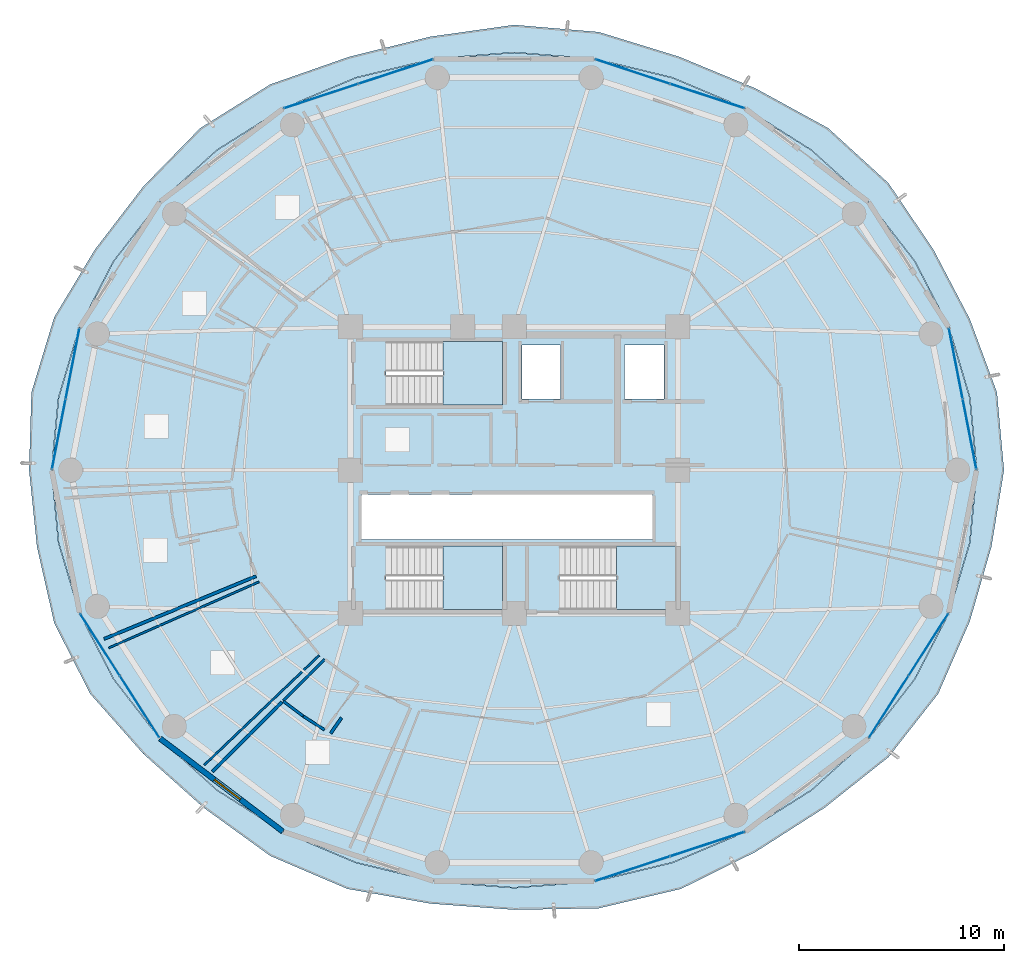
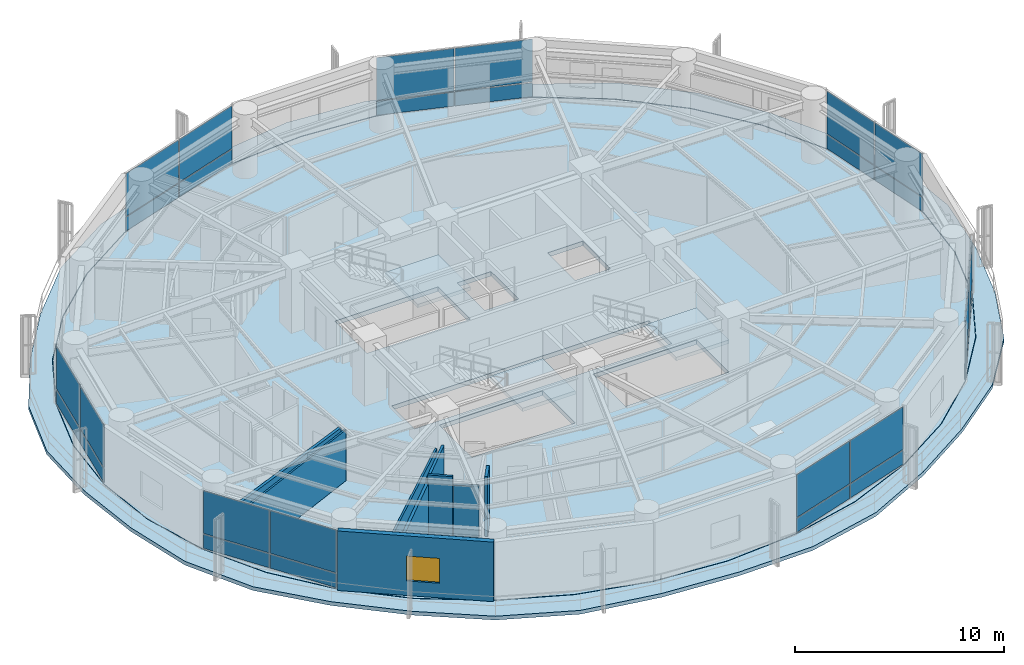
# One storey, part 20 of 27: 28 plates, 9 walls, 5 slabs, 1 window, 1 opening, 10 elements without a shape of their own.
"""IFC4 building model written with IfcOpenShell, lengths in metres."""

import ifcopenshell
import ifcopenshell.guid

model = None  # the IFC model being written
_history = None  # IfcOwnerHistory: only IFC2X3 demands one
_inside = {}  # id of a spatial element -> (the spatial element, [elements in it])
_under = {}  # id of a project, library or spatial element -> (it, [spatial elements below it])
_declared = {}  # id of a project -> (the project, [libraries it declares])
_typed = {}  # id of a type object -> (the type object, [elements of that type])
_made_of = {}  # id of a material, layer set ... -> (it, [elements and type objects made of it])


def new_model(schema):
    """Start an empty IFC model of exactly this schema.

    Asked for "IFC4X3", IfcOpenShell would pick the latest addendum, in which some entities
    have other attributes; the version numbers below select the first issue.
    IFC2X3 requires an IfcOwnerHistory on every rooted entity: one is made here for all.
    """
    global model, _history
    if schema == "IFC4X3":
        model = ifcopenshell.file(schema_version=(4, 3, 0, 0))
    else:
        model = ifcopenshell.file(schema=schema)
    _inside.clear()
    _under.clear()
    _declared.clear()
    _typed.clear()
    _made_of.clear()
    _history = None
    if model.schema == "IFC2X3":
        org = make("IfcOrganization", Name="unknown")
        user = make(
            "IfcPersonAndOrganization",
            ThePerson=make("IfcPerson", FamilyName="unknown"),
            TheOrganization=org,
        )
        app = make(
            "IfcApplication",
            ApplicationDeveloper=org,
            Version="unknown",
            ApplicationFullName="unknown",
            ApplicationIdentifier="unknown",
        )
        _history = make(
            "IfcOwnerHistory",
            OwningUser=user,
            OwningApplication=app,
            ChangeAction="ADDED",
            CreationDate=0,
        )
    return model


def make(cls, **values):
    """One entity of the class cls with the attributes given. An attribute that is None is left unset."""
    return model.create_entity(
        cls, **{name: value for name, value in values.items() if value is not None}
    )


def rooted(cls, **values):
    """An entity with a GlobalId (a new one), such as an element, a storey or a relation."""
    return make(cls, GlobalId=ifcopenshell.guid.new(), OwnerHistory=_history, **values)


def si_unit(unit_type, name, prefix=None):
    """IfcSIUnit, for example si_unit("LENGTHUNIT", "METRE", prefix="MILLI")."""
    return make("IfcSIUnit", UnitType=unit_type, Prefix=prefix, Name=name)


def assignment(units):
    """IfcUnitAssignment: the units of a project."""
    return None if units is None else make("IfcUnitAssignment", Units=units)


def point(xyz):
    """IfcCartesianPoint."""
    return None if xyz is None else make("IfcCartesianPoint", Coordinates=xyz)


def direction(xyz):
    """IfcDirection."""
    return None if xyz is None else make("IfcDirection", DirectionRatios=xyz)


def frame(location, z_axis=None, x_axis=None):
    """IfcAxis2Placement3D, a coordinate frame: its origin and axes. An axis left out is left unset."""
    return make(
        "IfcAxis2Placement3D",
        Location=point(location),
        Axis=direction(z_axis),
        RefDirection=direction(x_axis),
    )


def frame_2d(location, x_axis=None):
    """IfcAxis2Placement2D, a coordinate frame in the plane: its origin and x axis."""
    return make(
        "IfcAxis2Placement2D", Location=point(location), RefDirection=direction(x_axis)
    )


def origin():
    """The frame at (0, 0, 0) with its axes left unset."""
    return frame((0.0, 0.0, 0.0))


def origin_2d():
    """The frame at (0, 0) in the plane with its x axis left unset."""
    return frame_2d((0.0, 0.0))


def place(relative_to, where):
    """IfcLocalPlacement: puts the frame where relative to a parent placement (None: the world)."""
    return make(
        "IfcLocalPlacement", PlacementRelTo=relative_to, RelativePlacement=where
    )


def context(
    kind, dimensions, precision=None, world=None, true_north=None, identifier=None
):
    """IfcGeometricRepresentationContext, for example the 3D "Model" context."""
    return make(
        "IfcGeometricRepresentationContext",
        ContextIdentifier=identifier,
        ContextType=kind,
        CoordinateSpaceDimension=dimensions,
        Precision=precision,
        WorldCoordinateSystem=world,
        TrueNorth=true_north,
    )


def subcontext(parent, identifier, kind, view, scale=None):
    """IfcGeometricRepresentationSubContext, for example "Body" below "Model"."""
    return make(
        "IfcGeometricRepresentationSubContext",
        ContextIdentifier=identifier,
        ContextType=kind,
        ParentContext=parent,
        TargetScale=scale,
        TargetView=view,
    )


def project(units=None, contexts=None):
    """IfcProject with its units and contexts."""
    return rooted(
        "IfcProject",
        Name="project",
        RepresentationContexts=contexts,
        UnitsInContext=assignment(units),
    )


def spatial(cls, under=None, at=None, **own):
    """A site, building, storey or space (cls), placed at a placement, below another one or the project."""
    s = rooted(cls, ObjectPlacement=at, **own)
    if under is not None:
        _under.setdefault(under.id(), (under, []))[1].append(s)
    return s


def polyline(points):
    """IfcPolyline through the points."""
    return make("IfcPolyline", Points=[point(p) for p in points])


def profile(cls, at=None, kind="AREA", **sizes):
    """A parametric profile (cls). Its sizes go by their IFC names, for example OverallWidth=200.0."""
    return make(cls, ProfileType=kind, Position=at, **sizes)


def rectangle(**sizes):
    """IfcRectangleProfileDef."""
    return profile("IfcRectangleProfileDef", **sizes)


def outline(outer, holes=None, kind="AREA"):
    """IfcArbitraryClosedProfileDef: a profile drawn as a closed curve; with holes, ...WithVoids."""
    if holes is None:
        return make("IfcArbitraryClosedProfileDef", ProfileType=kind, OuterCurve=outer)
    return make(
        "IfcArbitraryProfileDefWithVoids",
        ProfileType=kind,
        OuterCurve=outer,
        InnerCurves=holes,
    )


def extrude(swept, where, along, depth):
    """IfcExtrudedAreaSolid: the profile swept, set in the frame where, extruded along a direction by depth."""
    return make(
        "IfcExtrudedAreaSolid",
        SweptArea=swept,
        Position=where,
        ExtrudedDirection=direction(along),
        Depth=depth,
    )


def shape(context_of_items, identifier, shape_type, items):
    """IfcShapeRepresentation: the items that make up one representation, for example the "Body"."""
    return make(
        "IfcShapeRepresentation",
        ContextOfItems=context_of_items,
        RepresentationIdentifier=identifier,
        RepresentationType=shape_type,
        Items=items,
    )


def source(mapping_origin, context_of_items, identifier, shape_type, items):
    """IfcRepresentationMap: a shape defined once, which mapped items show again and again."""
    return make(
        "IfcRepresentationMap",
        MappingOrigin=mapping_origin,
        MappedRepresentation=shape(context_of_items, identifier, shape_type, items),
    )


def transform(
    local_origin,
    x_axis=None,
    y_axis=None,
    z_axis=None,
    scale=None,
    scale2=None,
    scale3=None,
    uniform=True,
):
    """IfcCartesianTransformationOperator3D, or its non-uniform kind. x_axis, y_axis, z_axis: its Axis1, 2, 3."""
    if uniform:
        return make(
            "IfcCartesianTransformationOperator3D",
            Axis1=direction(x_axis),
            Axis2=direction(y_axis),
            LocalOrigin=point(local_origin),
            Scale=scale,
            Axis3=direction(z_axis),
        )
    return make(
        "IfcCartesianTransformationOperator3DnonUniform",
        Axis1=direction(x_axis),
        Axis2=direction(y_axis),
        LocalOrigin=point(local_origin),
        Scale=scale,
        Axis3=direction(z_axis),
        Scale2=scale2,
        Scale3=scale3,
    )


def mapped(mapping_source, mapping_target):
    """IfcMappedItem: shows the shape of a source again, moved by a transform."""
    return make(
        "IfcMappedItem", MappingSource=mapping_source, MappingTarget=mapping_target
    )


def material(Name=None, Category=None):
    """IfcMaterial."""
    return make("IfcMaterial", Name=Name, Category=Category)


def layer(
    of_material, thickness, ventilated=None, Name=None, Category=None, Priority=None
):
    """IfcMaterialLayer: one layer of a wall or slab, of a material (None: an air gap)."""
    return make(
        "IfcMaterialLayer",
        Material=of_material,
        LayerThickness=thickness,
        IsVentilated=ventilated,
        Name=Name,
        Category=Category,
        Priority=Priority,
    )


def layer_set(layers, Name=None):
    """IfcMaterialLayerSet."""
    return make("IfcMaterialLayerSet", MaterialLayers=layers, LayerSetName=Name)


def made_of(thing, what):
    """Note that an element or type object is made of a material, layer set ...; save() writes the relation."""
    if what is not None:
        _made_of.setdefault(what.id(), (what, []))[1].append(thing)
    return thing


def type_object(cls, material=None, **own):
    """A type object (cls), such as IfcWallType, which elements share."""
    return made_of(rooted(cls, **own), material)


def element(
    cls,
    number,
    at=None,
    inside=None,
    cuts=None,
    type_object=None,
    material=None,
    context=None,
    identifier="Body",
    shape_type=None,
    held_by="IfcProductDefinitionShape",
    body=None,
    shapes=None,
    **own,
):
    """One element of the class cls, such as IfcWall. Its Tag is "e" and its number.

    at: its placement. inside: the storey or other place that contains it. cuts: it is an
    opening in that element (IfcRelVoidsElement). A single representation is given by context,
    identifier, shape_type and body (its items); several are given by shapes. held_by: the class
    of the entity that holds the representations. save() writes the other relations.
    """
    e = rooted(cls, Tag="e%d" % number, ObjectPlacement=at, **own)
    if body is not None:
        shapes = [shape(context, identifier, shape_type, body)]
    if shapes is not None:
        e.Representation = make(held_by, Representations=shapes)
    if inside is not None:
        _inside.setdefault(inside.id(), (inside, []))[1].append(e)
    if cuts is not None:
        rooted(
            "IfcRelVoidsElement", RelatingBuildingElement=cuts, RelatedOpeningElement=e
        )
    if type_object is not None:
        _typed.setdefault(type_object.id(), (type_object, []))[1].append(e)
    return made_of(e, material)


def fill(opening, filler):
    """IfcRelFillsElement: the door or window that sits in an opening."""
    return rooted(
        "IfcRelFillsElement",
        RelatingOpeningElement=opening,
        RelatedBuildingElement=filler,
    )


def aggregate(whole, parts):
    """IfcRelAggregates: a whole, such as a stair, and the parts it consists of."""
    return rooted("IfcRelAggregates", RelatingObject=whole, RelatedObjects=parts)


def save(model, path):
    """Write the relations noted so far, then the file.

    IfcRelAggregates (storeys below a building ...), IfcRelContainedInSpatialStructure (elements
    in a storey), IfcRelDefinesByType, IfcRelAssociatesMaterial and IfcRelDeclares: one each for
    every whole, place, type object, material and project.
    """
    for whole, parts in _under.values():
        aggregate(whole, parts)
    for where, things in _inside.values():
        rooted(
            "IfcRelContainedInSpatialStructure",
            RelatedElements=things,
            RelatingStructure=where,
        )
    for kind, things in _typed.values():
        rooted("IfcRelDefinesByType", RelatedObjects=things, RelatingType=kind)
    for what, things in _made_of.values():
        rooted("IfcRelAssociatesMaterial", RelatedObjects=things, RelatingMaterial=what)
    for by, libraries in _declared.values():
        rooted("IfcRelDeclares", RelatingContext=by, RelatedDefinitions=libraries)
    model.write(path)


model = new_model("IFC4")

# Units and contexts
model_context = context("Model", 3, precision=1e-05, world=origin(), true_north=direction((0.0, 1.0)))
body_context = subcontext(model_context, "Body", "Model", "MODEL_VIEW")
ifc_project = project(units=[si_unit("LENGTHUNIT", "METRE"), si_unit("AREAUNIT", "SQUARE_METRE"), si_unit("VOLUMEUNIT", "CUBIC_METRE"), si_unit("PLANEANGLEUNIT", "RADIAN"), si_unit("MASSUNIT", "GRAM", prefix="KILO")], contexts=[model_context])

# Site, building, storey
site_placement = place(None, origin())
site = spatial("IfcSite", under=ifc_project, at=site_placement, CompositionType="ELEMENT")
building_placement = place(site_placement, origin())
building = spatial("IfcBuilding", under=site, at=building_placement, Name="Kelanora Arch Commons", CompositionType="ELEMENT")
storey_placement = place(building_placement, frame((0.0, 0.0, 146.85009765625)))
storey = spatial("IfcBuildingStorey", under=building, at=storey_placement, Name="L37", CompositionType="ELEMENT", Elevation=146.85009765625)

# Stair, slab
ifc_material_1 = material(Name="Concrete C40/50", Category="concrete")
stair_type = type_object("IfcStairType", Name="STR-DL-375", PredefinedType="HALF_TURN_STAIR", material=ifc_material_1)
stair_1_placement = place(storey_placement, origin())
stair_1 = element("IfcStair", 1, at=stair_1_placement, inside=storey, type_object=stair_type, Name="L37 ST-T1", PredefinedType="HALF_TURN_STAIR")
ifc_layer_1 = layer(ifc_material_1, 0.199951171875)
ifc_layer_set_1 = layer_set([ifc_layer_1], Name="Concrete C40/50")
slab_type_1 = type_object("IfcSlabType", Name="SLB-STAIR-LND", PredefinedType="LANDING", material=ifc_layer_set_1)
slab_1_placement = place(storey_placement, frame((0.0, 0.0, 1.6748046875)))
slab_1 = element("IfcSlab", 2, at=slab_1_placement, type_object=slab_type_1, Name="ST-T1 landing 1", PredefinedType="LANDING", context=body_context, shape_type="SweptSolid", body=[
    extrude(outline(polyline([(70.52001953125, 61.179931640625), (73.43994140625, 61.179931640625), (73.43994140625, 64.2900390625), (70.52001953125, 64.2900390625), (70.52001953125, 61.179931640625)])), origin(), (0.0, 0.0, 1.0), 0.2001953125),
])
aggregate(stair_1, [slab_1])

stair_2_placement = place(storey_placement, origin())
stair_2 = element("IfcStair", 3, at=stair_2_placement, inside=storey, type_object=stair_type, Name="L37 ST-T2", PredefinedType="HALF_TURN_STAIR")
slab_2_placement = place(storey_placement, frame((0.0, 0.0, 1.6748046875)))
slab_2 = element("IfcSlab", 4, at=slab_2_placement, type_object=slab_type_1, Name="ST-T2 landing 1", PredefinedType="LANDING", context=body_context, shape_type="SweptSolid", body=[
    extrude(outline(polyline([(79.0, 51.179931640625), (81.919921875, 51.179931640625), (81.919921875, 54.2900390625), (79.0, 54.2900390625), (79.0, 51.179931640625)])), origin(), (0.0, 0.0, 1.0), 0.2001953125),
])
aggregate(stair_2, [slab_2])

stair_3_placement = place(storey_placement, origin())
stair_3 = element("IfcStair", 5, at=stair_3_placement, inside=storey, type_object=stair_type, Name="L37 ST-T3", PredefinedType="HALF_TURN_STAIR")
slab_3_placement = place(storey_placement, frame((0.0, 0.0, 1.6748046875)))
slab_3 = element("IfcSlab", 6, at=slab_3_placement, type_object=slab_type_1, Name="ST-T3 landing 1", PredefinedType="LANDING", context=body_context, shape_type="SweptSolid", body=[
    extrude(outline(polyline([(70.52001953125, 51.179931640625), (73.43994140625, 51.179931640625), (73.43994140625, 54.2900390625), (70.52001953125, 54.2900390625), (70.52001953125, 51.179931640625)])), origin(), (0.0, 0.0, 1.0), 0.2001953125),
])
aggregate(stair_3, [slab_3])

# Slabs
ifc_layer_2 = layer(ifc_material_1, 0.260009765625)
ifc_layer_set_2 = layer_set([ifc_layer_2], Name="Concrete C40/50")
slab_type_2 = type_object("IfcSlabType", Name="SLB-TWR-TYP", PredefinedType="FLOOR", material=ifc_layer_set_2)
slab_4_placement = place(storey_placement, frame((0.0, 0.0, -0.260009765625)))
element("IfcSlab", 7, at=slab_4_placement, inside=storey, type_object=slab_type_2, Name="Tower Floor Slab L37", PredefinedType="FLOOR", context=body_context, shape_type="SweptSolid", body=[
    extrude(outline(polyline([(96.60009765625, 58.0), (96.256591796875, 61.54248046875), (95.237060546875, 64.977294921875), (93.572265625, 68.199951171875), (91.3125, 71.11279296875), (88.527099609375, 73.627197265625), (85.300048828125, 75.6669921875), (81.729736328125, 77.169677734375), (77.92431640625, 78.090087890625), (74.0, 78.39990234375), (70.07568359375, 78.090087890625), (66.270263671875, 77.169677734375), (62.699951171875, 75.6669921875), (59.472900390625, 73.627197265625), (56.6875, 71.11279296875), (54.427734375, 68.199951171875), (52.762939453125, 64.977294921875), (51.743408203125, 61.54248046875), (51.39990234375, 58.0), (51.743408203125, 54.45751953125), (52.762939453125, 51.022705078125), (54.427734375, 47.800048828125), (56.6875, 44.88720703125), (59.472900390625, 42.372802734375), (62.699951171875, 40.3330078125), (66.270263671875, 38.830322265625), (70.07568359375, 37.909912109375), (74.0, 37.60009765625), (77.92431640625, 37.909912109375), (81.729736328125, 38.830322265625), (85.300048828125, 40.3330078125), (88.527099609375, 42.372802734375), (91.3125, 44.88720703125), (93.572265625, 47.800048828125), (95.237060546875, 51.022705078125), (96.256591796875, 54.45751953125), (96.60009765625, 58.0)]), holes=[polyline([(73.431884765625, 51.18798828125), (67.72802734375, 51.18798828125), (67.72802734375, 54.281982421875), (73.431884765625, 54.281982421875), (73.431884765625, 51.18798828125)]), polyline([(76.2080078125, 51.18798828125), (76.2080078125, 54.281982421875), (81.912109375, 54.281982421875), (81.912109375, 51.18798828125), (76.2080078125, 51.18798828125)]), polyline([(66.550048828125, 54.60009765625), (66.550048828125, 56.800048828125), (80.75, 56.800048828125), (80.75, 54.60009765625), (66.550048828125, 54.60009765625)]), polyline([(73.431884765625, 61.18798828125), (67.72802734375, 61.18798828125), (67.72802734375, 64.281982421875), (73.431884765625, 64.281982421875), (73.431884765625, 61.18798828125)]), polyline([(74.3798828125, 61.47998046875), (74.3798828125, 64.1201171875), (76.260009765625, 64.1201171875), (76.260009765625, 61.47998046875), (74.3798828125, 61.47998046875)]), polyline([(79.3798828125, 61.47998046875), (79.3798828125, 64.1201171875), (81.320068359375, 64.1201171875), (81.320068359375, 61.47998046875), (79.3798828125, 61.47998046875)])]), origin(), (0.0, 0.0, 1.0), 0.260009765625),
])
ifc_layer_3 = layer(ifc_material_1, 0.219970703125)
ifc_layer_set_3 = layer_set([ifc_layer_3], Name="Concrete C40/50")
slab_type_3 = type_object("IfcSlabType", Name="SLB-WAVE-BAL", PredefinedType="FLOOR", material=ifc_layer_set_3)
slab_5_placement = place(storey_placement, frame((0.0, 0.0, -0.22021484375)))
element("IfcSlab", 8, at=slab_5_placement, inside=storey, type_object=slab_type_3, Name="Sinusoidal Wave Balcony Slab L37", PredefinedType="FLOOR", context=body_context, shape_type="SweptSolid", body=[
    extrude(outline(polyline([(97.938232421875, 58.0), (97.591796875, 61.80322265625), (96.263427734375, 65.39111328125), (94.48583984375, 68.784423828125), (92.292724609375, 72.02392578125), (89.348388671875, 74.711669921875), (85.8115234375, 76.6484375), (82.068115234375, 78.2001953125), (78.134765625, 79.41162109375), (74.0, 79.760498046875), (69.901611328125, 79.18310546875), (65.931884765625, 78.2001953125), (62.08154296875, 76.853515625), (58.651611328125, 74.711669921875), (55.876708984375, 71.866455078125), (53.51416015625, 68.784423828125), (51.52197265625, 65.4775390625), (50.408203125, 61.80322265625), (50.293212890625, 58.0), (50.678955078125, 54.24951171875), (51.52197265625, 50.5224609375), (53.28173828125, 47.06689453125), (55.876708984375, 44.133544921875), (58.818115234375, 41.508056640625), (62.08154296875, 39.146484375), (65.845703125, 37.537841796875), (69.901611328125, 36.81689453125), (74.0, 36.515380859375), (78.134765625, 36.58837890625), (82.154296875, 37.537841796875), (85.8115234375, 39.3515625), (89.181884765625, 41.508056640625), (92.292724609375, 43.97607421875), (94.71826171875, 47.06689453125), (96.263427734375, 50.60888671875), (97.321044921875, 54.24951171875), (97.938232421875, 58.0)]), holes=[polyline([(96.2763671875, 54.4541015625), (95.255859375, 51.015869140625), (93.589599609375, 47.7900390625), (91.327880859375, 44.874267578125), (88.539794921875, 42.357421875), (85.31005859375, 40.31591796875), (81.736572265625, 38.8115234375), (77.927978515625, 37.89013671875), (74.0, 37.580078125), (70.072021484375, 37.89013671875), (66.263427734375, 38.8115234375), (62.68994140625, 40.31591796875), (59.460205078125, 42.357421875), (56.672119140625, 44.874267578125), (54.410400390625, 47.7900390625), (52.744140625, 51.015869140625), (51.7236328125, 54.4541015625), (51.3798828125, 58.0), (51.7236328125, 61.5458984375), (52.744140625, 64.984130859375), (54.410400390625, 68.2099609375), (56.672119140625, 71.125732421875), (59.460205078125, 73.642578125), (62.68994140625, 75.68408203125), (66.263427734375, 77.1884765625), (70.072021484375, 78.10986328125), (74.0, 78.419921875), (77.927978515625, 78.10986328125), (81.736572265625, 77.1884765625), (85.31005859375, 75.68408203125), (88.539794921875, 73.642578125), (91.327880859375, 71.125732421875), (93.589599609375, 68.2099609375), (95.255859375, 64.984130859375), (96.2763671875, 61.5458984375), (96.6201171875, 58.0), (96.2763671875, 54.4541015625)])]), origin(), (0.0, 0.0, 1.0), 0.22021484375),
])

# Curtain wall, plates
ifc_material_2 = material(Name="Terracotta ceramic-fritted low-E glass and aluminium", Category="masonry")
ifc_layer_4 = layer(ifc_material_2, 0.175048828125)
ifc_layer_set_4 = layer_set([ifc_layer_4], Name="Terracotta ceramic-fritted low-E glass and aluminium")
curtain_wall_type = type_object("IfcCurtainWallType", Name="CW-SYS-02", PredefinedType="NOTDEFINED", material=ifc_layer_set_4)
curtain_wall_1_placement = place(storey_placement, origin())
curtain_wall_1 = element("IfcCurtainWall", 9, at=curtain_wall_1_placement, inside=storey, type_object=curtain_wall_type, Name="Unitised Curtain Wall L37-B00", PredefinedType="NOTDEFINED")
ifc_material_3 = material(Name="Terracotta ceramic-fritted double glazing", Category="masonry")
ifc_layer_5 = layer(ifc_material_3, 0.028076171875)
ifc_layer_set_5 = layer_set([ifc_layer_5], Name="Terracotta ceramic-fritted double glazing")
plate_type = type_object("IfcPlateType", Name="CWP-FRIT", PredefinedType="CURTAIN_PANEL", material=ifc_layer_set_5)
shared_shape_1 = source(origin(), body_context, "Body", "SweptSolid", [
    extrude(rectangle(XDim=3.449462890625, YDim=0.028076171875, at=origin_2d()), origin(), (0.0, 0.0, 1.0), 0.81005859375),
])
plate_1_placement = place(storey_placement, frame((96.2548828125, 59.766357421875, 0.059814453125), z_axis=(0.0, 0.0, 1.0), x_axis=(-0.191705182375, 0.981452557718, 0.0)))
plate_1 = element("IfcPlate", 10, at=plate_1_placement, type_object=plate_type, Name="CW-02 panel 1.1", PredefinedType="CURTAIN_PANEL", context=body_context, shape_type="MappedRepresentation", body=[
    mapped(shared_shape_1, transform((0.0, 0.0, 0.0), scale=1.0)),
])
plate_2_placement = place(storey_placement, frame((95.58203125, 63.2109375, 0.059814453125), z_axis=(0.0, 0.0, 1.0), x_axis=(-0.191705182375, 0.981452557718, 0.0)))
plate_2 = element("IfcPlate", 11, at=plate_2_placement, type_object=plate_type, Name="CW-02 panel 2.1", PredefinedType="CURTAIN_PANEL", context=body_context, shape_type="MappedRepresentation", body=[
    mapped(shared_shape_1, transform((0.0, 0.0, 0.0), scale=1.0)),
])

curtain_wall_2_placement = place(storey_placement, origin())
curtain_wall_2 = element("IfcCurtainWall", 12, at=curtain_wall_2_placement, inside=storey, type_object=curtain_wall_type, Name="Unitised Curtain Wall L37-B08", PredefinedType="NOTDEFINED")
plate_3_placement = place(storey_placement, frame((52.41796875, 63.2109375, 0.059814453125), z_axis=(0.0, 0.0, 1.0), x_axis=(-0.191705182375, -0.981452557718, 0.0)))
plate_3 = element("IfcPlate", 13, at=plate_3_placement, type_object=plate_type, Name="CW-02 panel 1.1", PredefinedType="CURTAIN_PANEL", context=body_context, shape_type="MappedRepresentation", body=[
    mapped(shared_shape_1, transform((0.0, 0.0, 0.0), scale=1.0)),
])
plate_4_placement = place(storey_placement, frame((51.7451171875, 59.766357421875, 0.059814453125), z_axis=(0.0, 0.0, 1.0), x_axis=(-0.191705182375, -0.981452557718, 0.0)))
plate_4 = element("IfcPlate", 14, at=plate_4_placement, type_object=plate_type, Name="CW-02 panel 2.1", PredefinedType="CURTAIN_PANEL", context=body_context, shape_type="MappedRepresentation", body=[
    mapped(shared_shape_1, transform((0.0, 0.0, 0.0), scale=1.0)),
])

# Plate
shared_shape_2 = source(origin(), body_context, "Body", "SweptSolid", [
    extrude(rectangle(XDim=3.449462890625, YDim=0.028076171875, at=origin_2d()), origin(), (0.0, 0.0, 1.0), 2.485107421875),
])
plate_5_placement = place(storey_placement, frame((96.2548828125, 59.766357421875, 0.9296875), z_axis=(0.0, 0.0, 1.0), x_axis=(-0.191705182375, 0.981452557718, 0.0)))
plate_5 = element("IfcPlate", 15, at=plate_5_placement, type_object=plate_type, Name="CW-02 panel 1.2", PredefinedType="CURTAIN_PANEL", context=body_context, shape_type="MappedRepresentation", body=[
    mapped(shared_shape_2, transform((0.0, 0.0, 0.0), scale=1.0)),
])

plate_6_placement = place(storey_placement, frame((95.58203125, 63.2109375, 0.9296875), z_axis=(0.0, 0.0, 1.0), x_axis=(-0.191705182375, 0.981452557718, 0.0)))
plate_6 = element("IfcPlate", 16, at=plate_6_placement, type_object=plate_type, Name="CW-02 panel 2.2", PredefinedType="CURTAIN_PANEL", context=body_context, shape_type="MappedRepresentation", body=[
    mapped(shared_shape_2, transform((0.0, 0.0, 0.0), scale=1.0)),
])

aggregate(curtain_wall_1, [plate_1, plate_5, plate_2, plate_6])

plate_7_placement = place(storey_placement, frame((52.41796875, 63.2109375, 0.9296875), z_axis=(0.0, 0.0, 1.0), x_axis=(-0.191705182375, -0.981452557718, 0.0)))
plate_7 = element("IfcPlate", 17, at=plate_7_placement, type_object=plate_type, Name="CW-02 panel 1.2", PredefinedType="CURTAIN_PANEL", context=body_context, shape_type="MappedRepresentation", body=[
    mapped(shared_shape_2, transform((0.0, 0.0, 0.0), scale=1.0)),
])

plate_8_placement = place(storey_placement, frame((51.7451171875, 59.766357421875, 0.9296875), z_axis=(0.0, 0.0, 1.0), x_axis=(-0.191705182375, -0.981452557718, 0.0)))
plate_8 = element("IfcPlate", 18, at=plate_8_placement, type_object=plate_type, Name="CW-02 panel 2.2", PredefinedType="CURTAIN_PANEL", context=body_context, shape_type="MappedRepresentation", body=[
    mapped(shared_shape_2, transform((0.0, 0.0, 0.0), scale=1.0)),
])

aggregate(curtain_wall_2, [plate_3, plate_7, plate_4, plate_8])

# Curtain wall, plates
curtain_wall_3_placement = place(storey_placement, origin())
curtain_wall_3 = element("IfcCurtainWall", 19, at=curtain_wall_3_placement, inside=storey, type_object=curtain_wall_type, Name="Unitised Curtain Wall L37-B03", PredefinedType="NOTDEFINED")
shared_shape_3 = source(origin(), body_context, "Body", "SweptSolid", [
    extrude(rectangle(XDim=3.776611328125, YDim=0.028076171875, at=origin_2d()), origin(), (0.0, 0.0, 1.0), 0.81005859375),
])
plate_9_placement = place(storey_placement, frame((83.434814453125, 76.27978515625, 0.059814453125), z_axis=(0.0, 0.0, 1.0), x_axis=(-0.95003996605, 0.312128279571, 0.0)))
plate_9 = element("IfcPlate", 20, at=plate_9_placement, type_object=plate_type, Name="CW-02 panel 1.1", PredefinedType="CURTAIN_PANEL", context=body_context, shape_type="MappedRepresentation", body=[
    mapped(shared_shape_3, transform((0.0, 0.0, 0.0), scale=1.0)),
])
plate_10_placement = place(storey_placement, frame((79.789794921875, 77.477294921875, 0.059814453125), z_axis=(0.0, 0.0, 1.0), x_axis=(-0.95003996605, 0.312128279571, 0.0)))
plate_10 = element("IfcPlate", 21, at=plate_10_placement, type_object=plate_type, Name="CW-02 panel 2.1", PredefinedType="CURTAIN_PANEL", context=body_context, shape_type="MappedRepresentation", body=[
    mapped(shared_shape_3, transform((0.0, 0.0, 0.0), scale=1.0)),
])

curtain_wall_4_placement = place(storey_placement, origin())
curtain_wall_4 = element("IfcCurtainWall", 22, at=curtain_wall_4_placement, inside=storey, type_object=curtain_wall_type, Name="Unitised Curtain Wall L37-B05", PredefinedType="NOTDEFINED")
plate_11_placement = place(storey_placement, frame((68.210205078125, 77.477294921875, 0.059814453125), z_axis=(0.0, 0.0, 1.0), x_axis=(-0.95003996605, -0.312128279571, 0.0)))
plate_11 = element("IfcPlate", 23, at=plate_11_placement, type_object=plate_type, Name="CW-02 panel 1.1", PredefinedType="CURTAIN_PANEL", context=body_context, shape_type="MappedRepresentation", body=[
    mapped(shared_shape_3, transform((0.0, 0.0, 0.0), scale=1.0)),
])
plate_12_placement = place(storey_placement, frame((64.565185546875, 76.27978515625, 0.059814453125), z_axis=(0.0, 0.0, 1.0), x_axis=(-0.95003996605, -0.312128279571, 0.0)))
plate_12 = element("IfcPlate", 24, at=plate_12_placement, type_object=plate_type, Name="CW-02 panel 2.1", PredefinedType="CURTAIN_PANEL", context=body_context, shape_type="MappedRepresentation", body=[
    mapped(shared_shape_3, transform((0.0, 0.0, 0.0), scale=1.0)),
])

curtain_wall_5_placement = place(storey_placement, origin())
curtain_wall_5 = element("IfcCurtainWall", 25, at=curtain_wall_5_placement, inside=storey, type_object=curtain_wall_type, Name="Unitised Curtain Wall L37-B14", PredefinedType="NOTDEFINED")
plate_13_placement = place(storey_placement, frame((79.789794921875, 38.522705078125, 0.059814453125), z_axis=(0.0, 0.0, 1.0), x_axis=(0.95003996605, 0.312128279571, 0.0)))
plate_13 = element("IfcPlate", 26, at=plate_13_placement, type_object=plate_type, Name="CW-02 panel 1.1", PredefinedType="CURTAIN_PANEL", context=body_context, shape_type="MappedRepresentation", body=[
    mapped(shared_shape_3, transform((0.0, 0.0, 0.0), scale=1.0)),
])
plate_14_placement = place(storey_placement, frame((83.434814453125, 39.72021484375, 0.059814453125), z_axis=(0.0, 0.0, 1.0), x_axis=(0.95003996605, 0.312128279571, 0.0)))
plate_14 = element("IfcPlate", 27, at=plate_14_placement, type_object=plate_type, Name="CW-02 panel 2.1", PredefinedType="CURTAIN_PANEL", context=body_context, shape_type="MappedRepresentation", body=[
    mapped(shared_shape_3, transform((0.0, 0.0, 0.0), scale=1.0)),
])

# Plate
shared_shape_4 = source(origin(), body_context, "Body", "SweptSolid", [
    extrude(rectangle(XDim=3.776611328125, YDim=0.028076171875, at=origin_2d()), origin(), (0.0, 0.0, 1.0), 2.485107421875),
])
plate_15_placement = place(storey_placement, frame((83.434814453125, 76.27978515625, 0.9296875), z_axis=(0.0, 0.0, 1.0), x_axis=(-0.95003996605, 0.312128279571, 0.0)))
plate_15 = element("IfcPlate", 28, at=plate_15_placement, type_object=plate_type, Name="CW-02 panel 1.2", PredefinedType="CURTAIN_PANEL", context=body_context, shape_type="MappedRepresentation", body=[
    mapped(shared_shape_4, transform((0.0, 0.0, 0.0), scale=1.0)),
])

plate_16_placement = place(storey_placement, frame((79.789794921875, 77.477294921875, 0.9296875), z_axis=(0.0, 0.0, 1.0), x_axis=(-0.95003996605, 0.312128279571, 0.0)))
plate_16 = element("IfcPlate", 29, at=plate_16_placement, type_object=plate_type, Name="CW-02 panel 2.2", PredefinedType="CURTAIN_PANEL", context=body_context, shape_type="MappedRepresentation", body=[
    mapped(shared_shape_4, transform((0.0, 0.0, 0.0), scale=1.0)),
])

aggregate(curtain_wall_3, [plate_9, plate_15, plate_10, plate_16])

plate_17_placement = place(storey_placement, frame((68.210205078125, 77.477294921875, 0.9296875), z_axis=(0.0, 0.0, 1.0), x_axis=(-0.95003996605, -0.312128279571, 0.0)))
plate_17 = element("IfcPlate", 30, at=plate_17_placement, type_object=plate_type, Name="CW-02 panel 1.2", PredefinedType="CURTAIN_PANEL", context=body_context, shape_type="MappedRepresentation", body=[
    mapped(shared_shape_4, transform((0.0, 0.0, 0.0), scale=1.0)),
])

plate_18_placement = place(storey_placement, frame((64.565185546875, 76.27978515625, 0.9296875), z_axis=(0.0, 0.0, 1.0), x_axis=(-0.95003996605, -0.312128279571, 0.0)))
plate_18 = element("IfcPlate", 31, at=plate_18_placement, type_object=plate_type, Name="CW-02 panel 2.2", PredefinedType="CURTAIN_PANEL", context=body_context, shape_type="MappedRepresentation", body=[
    mapped(shared_shape_4, transform((0.0, 0.0, 0.0), scale=1.0)),
])

aggregate(curtain_wall_4, [plate_11, plate_17, plate_12, plate_18])

plate_19_placement = place(storey_placement, frame((79.789794921875, 38.522705078125, 0.9296875), z_axis=(0.0, 0.0, 1.0), x_axis=(0.95003996605, 0.312128279571, 0.0)))
plate_19 = element("IfcPlate", 32, at=plate_19_placement, type_object=plate_type, Name="CW-02 panel 1.2", PredefinedType="CURTAIN_PANEL", context=body_context, shape_type="MappedRepresentation", body=[
    mapped(shared_shape_4, transform((0.0, 0.0, 0.0), scale=1.0)),
])

plate_20_placement = place(storey_placement, frame((83.434814453125, 39.72021484375, 0.9296875), z_axis=(0.0, 0.0, 1.0), x_axis=(0.95003996605, 0.312128279571, 0.0)))
plate_20 = element("IfcPlate", 33, at=plate_20_placement, type_object=plate_type, Name="CW-02 panel 2.2", PredefinedType="CURTAIN_PANEL", context=body_context, shape_type="MappedRepresentation", body=[
    mapped(shared_shape_4, transform((0.0, 0.0, 0.0), scale=1.0)),
])

aggregate(curtain_wall_5, [plate_13, plate_19, plate_14, plate_20])

# Curtain wall, plates
curtain_wall_6_placement = place(storey_placement, origin())
curtain_wall_6 = element("IfcCurtainWall", 34, at=curtain_wall_6_placement, inside=storey, type_object=curtain_wall_type, Name="Unitised Curtain Wall L37-B10", PredefinedType="NOTDEFINED")
shared_shape_5 = source(origin(), body_context, "Body", "SweptSolid", [
    extrude(rectangle(XDim=3.53662109375, YDim=0.028076171875, at=origin_2d()), origin(), (0.0, 0.0, 1.0), 0.81005859375),
])
plate_21_placement = place(storey_placement, frame((53.756103515625, 49.469970703125, 0.059814453125), z_axis=(0.0, 0.0, 1.0), x_axis=(0.538816988983, -0.842422846546, 0.0)))
plate_21 = element("IfcPlate", 35, at=plate_21_placement, type_object=plate_type, Name="CW-02 panel 1.1", PredefinedType="CURTAIN_PANEL", context=body_context, shape_type="MappedRepresentation", body=[
    mapped(shared_shape_5, transform((0.0, 0.0, 0.0), scale=1.0)),
])
plate_22_placement = place(storey_placement, frame((55.694091796875, 46.43994140625, 0.059814453125), z_axis=(0.0, 0.0, 1.0), x_axis=(0.538816988983, -0.842422846546, 0.0)))
plate_22 = element("IfcPlate", 36, at=plate_22_placement, type_object=plate_type, Name="CW-02 panel 2.1", PredefinedType="CURTAIN_PANEL", context=body_context, shape_type="MappedRepresentation", body=[
    mapped(shared_shape_5, transform((0.0, 0.0, 0.0), scale=1.0)),
])

curtain_wall_7_placement = place(storey_placement, origin())
curtain_wall_7 = element("IfcCurtainWall", 37, at=curtain_wall_7_placement, inside=storey, type_object=curtain_wall_type, Name="Unitised Curtain Wall L37-B16", PredefinedType="NOTDEFINED")
plate_23_placement = place(storey_placement, frame((92.305908203125, 46.43994140625, 0.059814453125), z_axis=(0.0, 0.0, 1.0), x_axis=(0.538816988983, 0.842422846546, 0.0)))
plate_23 = element("IfcPlate", 38, at=plate_23_placement, type_object=plate_type, Name="CW-02 panel 1.1", PredefinedType="CURTAIN_PANEL", context=body_context, shape_type="MappedRepresentation", body=[
    mapped(shared_shape_5, transform((0.0, 0.0, 0.0), scale=1.0)),
])
plate_24_placement = place(storey_placement, frame((94.243896484375, 49.469970703125, 0.059814453125), z_axis=(0.0, 0.0, 1.0), x_axis=(0.538816988983, 0.842422846546, 0.0)))
plate_24 = element("IfcPlate", 39, at=plate_24_placement, type_object=plate_type, Name="CW-02 panel 2.1", PredefinedType="CURTAIN_PANEL", context=body_context, shape_type="MappedRepresentation", body=[
    mapped(shared_shape_5, transform((0.0, 0.0, 0.0), scale=1.0)),
])

# Plate
shared_shape_6 = source(origin(), body_context, "Body", "SweptSolid", [
    extrude(rectangle(XDim=3.53662109375, YDim=0.028076171875, at=origin_2d()), origin(), (0.0, 0.0, 1.0), 2.485107421875),
])
plate_25_placement = place(storey_placement, frame((53.756103515625, 49.469970703125, 0.9296875), z_axis=(0.0, 0.0, 1.0), x_axis=(0.538816988983, -0.842422846546, 0.0)))
plate_25 = element("IfcPlate", 40, at=plate_25_placement, type_object=plate_type, Name="CW-02 panel 1.2", PredefinedType="CURTAIN_PANEL", context=body_context, shape_type="MappedRepresentation", body=[
    mapped(shared_shape_6, transform((0.0, 0.0, 0.0), scale=1.0)),
])

plate_26_placement = place(storey_placement, frame((55.694091796875, 46.43994140625, 0.9296875), z_axis=(0.0, 0.0, 1.0), x_axis=(0.538816988983, -0.842422846546, 0.0)))
plate_26 = element("IfcPlate", 41, at=plate_26_placement, type_object=plate_type, Name="CW-02 panel 2.2", PredefinedType="CURTAIN_PANEL", context=body_context, shape_type="MappedRepresentation", body=[
    mapped(shared_shape_6, transform((0.0, 0.0, 0.0), scale=1.0)),
])

aggregate(curtain_wall_6, [plate_21, plate_25, plate_22, plate_26])

plate_27_placement = place(storey_placement, frame((92.305908203125, 46.43994140625, 0.9296875), z_axis=(0.0, 0.0, 1.0), x_axis=(0.538816988983, 0.842422846546, 0.0)))
plate_27 = element("IfcPlate", 42, at=plate_27_placement, type_object=plate_type, Name="CW-02 panel 1.2", PredefinedType="CURTAIN_PANEL", context=body_context, shape_type="MappedRepresentation", body=[
    mapped(shared_shape_6, transform((0.0, 0.0, 0.0), scale=1.0)),
])

plate_28_placement = place(storey_placement, frame((94.243896484375, 49.469970703125, 0.9296875), z_axis=(0.0, 0.0, 1.0), x_axis=(0.538816988983, 0.842422846546, 0.0)))
plate_28 = element("IfcPlate", 43, at=plate_28_placement, type_object=plate_type, Name="CW-02 panel 2.2", PredefinedType="CURTAIN_PANEL", context=body_context, shape_type="MappedRepresentation", body=[
    mapped(shared_shape_6, transform((0.0, 0.0, 0.0), scale=1.0)),
])

aggregate(curtain_wall_7, [plate_23, plate_27, plate_24, plate_28])

# Walls
ifc_material_4 = material(Name="Autoclaved aerated concrete blockwork with fire plaster", Category="masonry")
ifc_layer_6 = layer(ifc_material_4, 0.14990234375)
ifc_layer_set_6 = layer_set([ifc_layer_6], Name="Autoclaved aerated concrete blockwork with fire plaster")
wall_type_1 = type_object("IfcWallType", Name="W-COMP-150", PredefinedType="PARTITIONING", material=ifc_layer_set_6)
wall_1_placement = place(storey_placement, frame((61.385009765625, 52.816650390625, 0.0), z_axis=(0.0, 0.0, 1.0), x_axis=(-0.924352507704, -0.381539567412, 0.0)))
element("IfcWall", 44, at=wall_1_placement, inside=storey, type_object=wall_type_1, Name="Co-Living Studio L37-04 Enclosure Partition 2", PredefinedType="PARTITIONING", context=body_context, shape_type="SweptSolid", body=[
    extrude(rectangle(XDim=8.036865234375, YDim=0.14990234375, at=frame_2d((4.0185546875, 0.0))), origin(), (0.0, 0.0, 1.0), 2.974853515625),
])
wall_2_placement = place(storey_placement, frame((59.249267578125, 43.25830078125, 0.0), z_axis=(0.0, 0.0, 1.0), x_axis=(0.706293548202, 0.707919079958, 0.0)))
element("IfcWall", 45, at=wall_2_placement, inside=storey, type_object=wall_type_1, Name="Co-Living Studio L37-06 Enclosure Partition 5", PredefinedType="PARTITIONING", context=body_context, shape_type="SweptSolid", body=[
    extrude(rectangle(XDim=4.80615234375, YDim=0.14990234375, at=frame_2d((2.403076171875, 0.0))), origin(), (0.0, 0.0, 1.0), 3.02490234375),
])
wall_3_placement = place(storey_placement, frame((65.03076171875, 45.135986328125, 0.0), z_axis=(0.0, 0.0, 1.0), x_axis=(0.570563407037, 0.821253553143, 0.0)))
element("IfcWall", 46, at=wall_3_placement, inside=storey, type_object=wall_type_1, Name="Co-Living Studio L37-06 Enclosure Partition 7", PredefinedType="PARTITIONING", context=body_context, shape_type="SweptSolid", body=[
    extrude(rectangle(XDim=0.92822265625, YDim=0.14990234375, at=frame_2d((0.464111328125, 0.0))), origin(), (0.0, 0.0, 1.0), 3.47998046875),
])

# Wall, opening, window
ifc_material_5 = material(Name="Precast concrete C40/50 with terracotta rainscreen", Category="masonry")
ifc_layer_7 = layer(ifc_material_5, 0.260009765625)
ifc_layer_set_7 = layer_set([ifc_layer_7], Name="Precast concrete C40/50 with terracotta rainscreen")
wall_type_2 = type_object("IfcWallType", Name="W-EXT-TC", PredefinedType="SOLIDWALL", material=ifc_layer_set_7)
wall_4_placement = place(storey_placement, frame((56.699462890625, 44.8779296875, 0.0), z_axis=(0.0, 0.0, 1.0), x_axis=(0.797163719609, -0.603763202042, 0.0)))
wall_4 = element("IfcWall", 47, at=wall_4_placement, inside=storey, type_object=wall_type_2, Name="Terracotta Exterior Wall L37-B11", PredefinedType="SOLIDWALL", context=body_context, shape_type="SweptSolid", body=[
    extrude(rectangle(XDim=7.51220703125, YDim=0.260009765625, at=frame_2d((3.756103515625, 0.0))), origin(), (0.0, 0.0, 1.0), 3.474853515625),
])
opening_placement = place(wall_4_placement, frame((3.31591796875, 0.0, 0.85009765625)))
opening = element("IfcOpeningElement", 48, at=opening_placement, cuts=wall_4, Name="Opening WN-01", PredefinedType="OPENING", context=body_context, shape_type="SweptSolid", body=[
    extrude(rectangle(XDim=1.60009765625, YDim=1.449951171875, at=frame_2d((0.800048828125, 0.72509765625))), frame((0.0, 0.14013671875, 0.0), z_axis=(0.0, -1.0, 0.0), x_axis=(1.0, 0.0, 0.0)), (0.0, 0.0, 1.0), 0.280029296875),
])
ifc_material_6 = material(Name="Terracotta-anodised aluminium frame with operable low-E glazing", Category="masonry")
window_type = type_object("IfcWindowType", Name="WIN-CL-18", PartitioningType="DOUBLE_PANEL_VERTICAL", PredefinedType="WINDOW", material=ifc_material_6)
window_placement = place(opening_placement, origin())
window = element("IfcWindow", 49, at=window_placement, inside=storey, type_object=window_type, Name="Co-Living Operable Window L37-B11", OverallHeight=1.449951171875, OverallWidth=1.60009765625, PartitioningType="SINGLE_PANEL", PredefinedType="WINDOW", context=body_context, shape_type="SweptSolid", body=[
    extrude(rectangle(XDim=1.60009765625, YDim=1.449951171875, at=frame_2d((0.800048828125, 0.72509765625))), frame((0.0, 0.030029296875, 0.0), z_axis=(0.0, -1.0, 0.0), x_axis=(1.0, 0.0, 0.0)), (0.0, 0.0, 1.0), 0.06005859375),
])
fill(opening, window)

# Walls
ifc_material_7 = material(Name="Lightweight fire-rated acoustic stud partition")
ifc_layer_8 = layer(ifc_material_7, 0.10009765625)
ifc_layer_set_8 = layer_set([ifc_layer_8], Name="Lightweight fire-rated acoustic stud partition")
wall_type_3 = type_object("IfcWallType", Name="W-PART-100", PredefinedType="PARTITIONING", material=ifc_layer_set_8)
wall_5_placement = place(storey_placement, frame((64.466064453125, 48.943359375, 0.0), z_axis=(0.0, 0.0, 1.0), x_axis=(-0.723511266615, -0.690312572014, 0.0)))
element("IfcWall", 50, at=wall_5_placement, inside=storey, type_object=wall_type_3, Name="Social Sky Lounge L37-05 Enclosure Partition 2", PredefinedType="PARTITIONING", context=body_context, shape_type="SweptSolid", body=[
    extrude(rectangle(XDim=7.75830078125, YDim=0.10009765625, at=frame_2d((3.879150390625, 0.0))), origin(), (0.0, 0.0, 1.0), 3.02490234375),
])
wall_6_placement = place(storey_placement, frame((54.185546875, 49.31201171875, 0.0), z_axis=(0.0, 0.0, 1.0), x_axis=(0.915373356269, 0.402606034024, 0.0)))
element("IfcWall", 51, at=wall_6_placement, inside=storey, type_object=wall_type_3, Name="Social Sky Lounge L37-05 Enclosure Partition 4", PredefinedType="PARTITIONING", context=body_context, shape_type="SweptSolid", body=[
    extrude(rectangle(XDim=8.022705078125, YDim=0.10009765625, at=frame_2d((4.01123046875, 0.0))), origin(), (0.0, 0.0, 1.0), 2.974853515625),
])
ifc_material_8 = material(Name="Moisture-resistant fire-rated cement-board plumbing wall")
ifc_layer_9 = layer(ifc_material_8, 0.1298828125)
ifc_layer_set_9 = layer_set([ifc_layer_9], Name="Moisture-resistant fire-rated cement-board plumbing wall")
wall_type_4 = type_object("IfcWallType", Name="W-WET-120", PredefinedType="PLUMBINGWALL", material=ifc_layer_set_9)
wall_7_placement = place(storey_placement, frame((64.727294921875, 45.311767578125, 0.0), z_axis=(0.0, 0.0, 1.0), x_axis=(-0.842330007588, 0.538962112135, 0.0)))
element("IfcWall", 52, at=wall_7_placement, inside=storey, type_object=wall_type_4, Name="En-Suite Shower WC L37-06 Enclosure Partition 4", PredefinedType="PLUMBINGWALL", context=body_context, shape_type="SweptSolid", body=[
    extrude(rectangle(XDim=1.21044921875, YDim=0.1298828125, at=frame_2d((0.605224609375, 0.0))), origin(), (0.0, 0.0, 1.0), 2.974853515625),
])
wall_8_placement = place(storey_placement, frame((63.675048828125, 45.987060546875, 0.0), z_axis=(0.0, 0.0, 1.0), x_axis=(-0.8, 0.6, 0.0)))
element("IfcWall", 53, at=wall_8_placement, inside=storey, type_object=wall_type_4, Name="En-Suite Shower WC L37-06 Enclosure Partition 5", PredefinedType="PLUMBINGWALL", context=body_context, shape_type="SweptSolid", body=[
    extrude(rectangle(XDim=1.199951171875, YDim=0.1298828125, at=frame_2d((0.60009765625, 0.0))), origin(), (0.0, 0.0, 1.0), 3.47998046875),
])
wall_9_placement = place(storey_placement, frame((62.713134765625, 46.733154296875, 0.0), z_axis=(0.0, 0.0, 1.0), x_axis=(0.706764315195, 0.707449081396, 0.0)))
element("IfcWall", 54, at=wall_9_placement, inside=storey, type_object=wall_type_4, Name="En-Suite Shower WC L37-06 Enclosure Partition 6", PredefinedType="PLUMBINGWALL", context=body_context, shape_type="SweptSolid", body=[
    extrude(rectangle(XDim=2.852294921875, YDim=0.1298828125, at=frame_2d((1.42626953125, 0.0))), origin(), (0.0, 0.0, 1.0), 3.23486328125),
])

save(model, "model.ifc")
